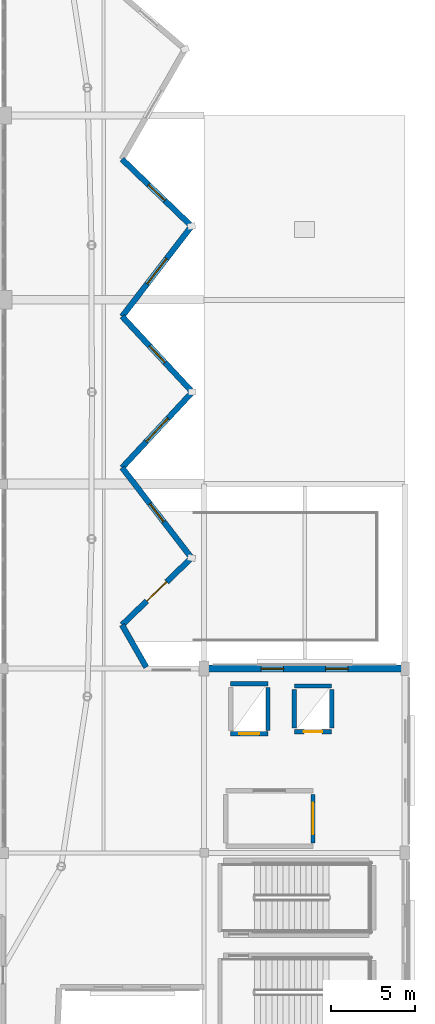
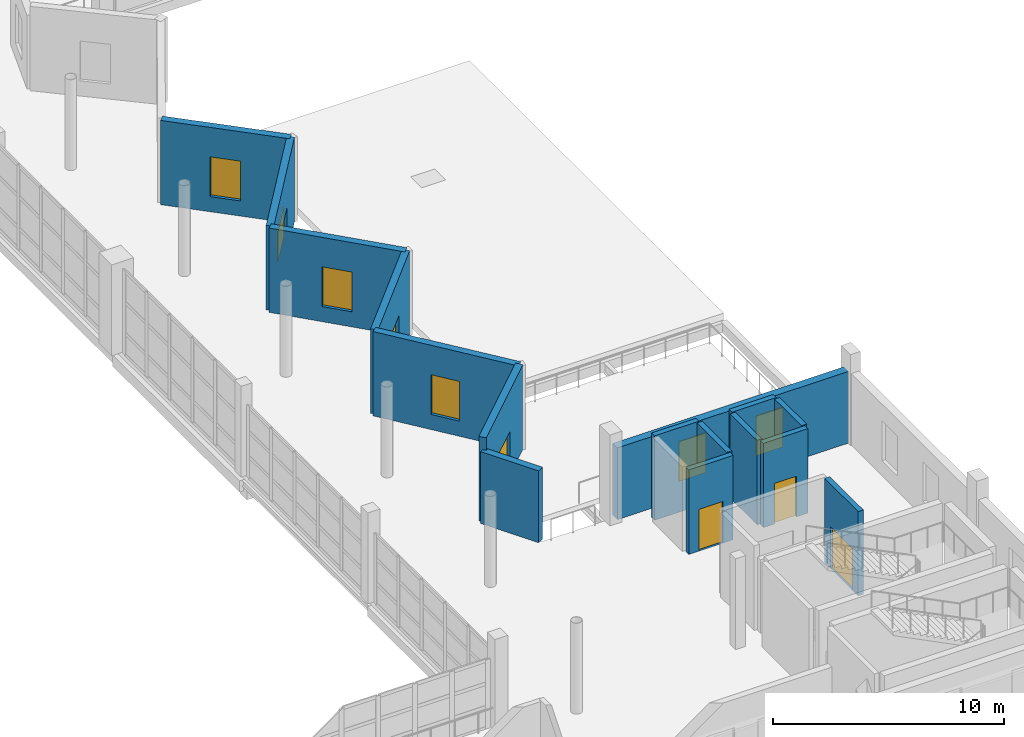
# One storey, part 39 of 53: 16 walls, 7 windows, 4 doors, 11 openings.
"""IFC4 building model written with IfcOpenShell, lengths in metres."""

import ifcopenshell
import ifcopenshell.guid

model = None  # the IFC model being written
_history = None  # IfcOwnerHistory: only IFC2X3 demands one
_inside = {}  # id of a spatial element -> (the spatial element, [elements in it])
_under = {}  # id of a project, library or spatial element -> (it, [spatial elements below it])
_declared = {}  # id of a project -> (the project, [libraries it declares])
_typed = {}  # id of a type object -> (the type object, [elements of that type])
_made_of = {}  # id of a material, layer set ... -> (it, [elements and type objects made of it])


def new_model(schema):
    """Start an empty IFC model of exactly this schema.

    Asked for "IFC4X3", IfcOpenShell would pick the latest addendum, in which some entities
    have other attributes; the version numbers below select the first issue.
    IFC2X3 requires an IfcOwnerHistory on every rooted entity: one is made here for all.
    """
    global model, _history
    if schema == "IFC4X3":
        model = ifcopenshell.file(schema_version=(4, 3, 0, 0))
    else:
        model = ifcopenshell.file(schema=schema)
    _inside.clear()
    _under.clear()
    _declared.clear()
    _typed.clear()
    _made_of.clear()
    _history = None
    if model.schema == "IFC2X3":
        org = make("IfcOrganization", Name="unknown")
        user = make(
            "IfcPersonAndOrganization",
            ThePerson=make("IfcPerson", FamilyName="unknown"),
            TheOrganization=org,
        )
        app = make(
            "IfcApplication",
            ApplicationDeveloper=org,
            Version="unknown",
            ApplicationFullName="unknown",
            ApplicationIdentifier="unknown",
        )
        _history = make(
            "IfcOwnerHistory",
            OwningUser=user,
            OwningApplication=app,
            ChangeAction="ADDED",
            CreationDate=0,
        )
    return model


def make(cls, **values):
    """One entity of the class cls with the attributes given. An attribute that is None is left unset."""
    return model.create_entity(
        cls, **{name: value for name, value in values.items() if value is not None}
    )


def rooted(cls, **values):
    """An entity with a GlobalId (a new one), such as an element, a storey or a relation."""
    return make(cls, GlobalId=ifcopenshell.guid.new(), OwnerHistory=_history, **values)


def si_unit(unit_type, name, prefix=None):
    """IfcSIUnit, for example si_unit("LENGTHUNIT", "METRE", prefix="MILLI")."""
    return make("IfcSIUnit", UnitType=unit_type, Prefix=prefix, Name=name)


def assignment(units):
    """IfcUnitAssignment: the units of a project."""
    return None if units is None else make("IfcUnitAssignment", Units=units)


def point(xyz):
    """IfcCartesianPoint."""
    return None if xyz is None else make("IfcCartesianPoint", Coordinates=xyz)


def direction(xyz):
    """IfcDirection."""
    return None if xyz is None else make("IfcDirection", DirectionRatios=xyz)


def frame(location, z_axis=None, x_axis=None):
    """IfcAxis2Placement3D, a coordinate frame: its origin and axes. An axis left out is left unset."""
    return make(
        "IfcAxis2Placement3D",
        Location=point(location),
        Axis=direction(z_axis),
        RefDirection=direction(x_axis),
    )


def frame_2d(location, x_axis=None):
    """IfcAxis2Placement2D, a coordinate frame in the plane: its origin and x axis."""
    return make(
        "IfcAxis2Placement2D", Location=point(location), RefDirection=direction(x_axis)
    )


def origin():
    """The frame at (0, 0, 0) with its axes left unset."""
    return frame((0.0, 0.0, 0.0))


def place(relative_to, where):
    """IfcLocalPlacement: puts the frame where relative to a parent placement (None: the world)."""
    return make(
        "IfcLocalPlacement", PlacementRelTo=relative_to, RelativePlacement=where
    )


def context(
    kind, dimensions, precision=None, world=None, true_north=None, identifier=None
):
    """IfcGeometricRepresentationContext, for example the 3D "Model" context."""
    return make(
        "IfcGeometricRepresentationContext",
        ContextIdentifier=identifier,
        ContextType=kind,
        CoordinateSpaceDimension=dimensions,
        Precision=precision,
        WorldCoordinateSystem=world,
        TrueNorth=true_north,
    )


def subcontext(parent, identifier, kind, view, scale=None):
    """IfcGeometricRepresentationSubContext, for example "Body" below "Model"."""
    return make(
        "IfcGeometricRepresentationSubContext",
        ContextIdentifier=identifier,
        ContextType=kind,
        ParentContext=parent,
        TargetScale=scale,
        TargetView=view,
    )


def project(units=None, contexts=None):
    """IfcProject with its units and contexts."""
    return rooted(
        "IfcProject",
        Name="project",
        RepresentationContexts=contexts,
        UnitsInContext=assignment(units),
    )


def spatial(cls, under=None, at=None, **own):
    """A site, building, storey or space (cls), placed at a placement, below another one or the project."""
    s = rooted(cls, ObjectPlacement=at, **own)
    if under is not None:
        _under.setdefault(under.id(), (under, []))[1].append(s)
    return s


def profile(cls, at=None, kind="AREA", **sizes):
    """A parametric profile (cls). Its sizes go by their IFC names, for example OverallWidth=200.0."""
    return make(cls, ProfileType=kind, Position=at, **sizes)


def rectangle(**sizes):
    """IfcRectangleProfileDef."""
    return profile("IfcRectangleProfileDef", **sizes)


def extrude(swept, where, along, depth):
    """IfcExtrudedAreaSolid: the profile swept, set in the frame where, extruded along a direction by depth."""
    return make(
        "IfcExtrudedAreaSolid",
        SweptArea=swept,
        Position=where,
        ExtrudedDirection=direction(along),
        Depth=depth,
    )


def shape(context_of_items, identifier, shape_type, items):
    """IfcShapeRepresentation: the items that make up one representation, for example the "Body"."""
    return make(
        "IfcShapeRepresentation",
        ContextOfItems=context_of_items,
        RepresentationIdentifier=identifier,
        RepresentationType=shape_type,
        Items=items,
    )


def material(Name=None, Category=None):
    """IfcMaterial."""
    return make("IfcMaterial", Name=Name, Category=Category)


def layer(
    of_material, thickness, ventilated=None, Name=None, Category=None, Priority=None
):
    """IfcMaterialLayer: one layer of a wall or slab, of a material (None: an air gap)."""
    return make(
        "IfcMaterialLayer",
        Material=of_material,
        LayerThickness=thickness,
        IsVentilated=ventilated,
        Name=Name,
        Category=Category,
        Priority=Priority,
    )


def layer_set(layers, Name=None):
    """IfcMaterialLayerSet."""
    return make("IfcMaterialLayerSet", MaterialLayers=layers, LayerSetName=Name)


def made_of(thing, what):
    """Note that an element or type object is made of a material, layer set ...; save() writes the relation."""
    if what is not None:
        _made_of.setdefault(what.id(), (what, []))[1].append(thing)
    return thing


def type_object(cls, material=None, **own):
    """A type object (cls), such as IfcWallType, which elements share."""
    return made_of(rooted(cls, **own), material)


def element(
    cls,
    number,
    at=None,
    inside=None,
    cuts=None,
    type_object=None,
    material=None,
    context=None,
    identifier="Body",
    shape_type=None,
    held_by="IfcProductDefinitionShape",
    body=None,
    shapes=None,
    **own,
):
    """One element of the class cls, such as IfcWall. Its Tag is "e" and its number.

    at: its placement. inside: the storey or other place that contains it. cuts: it is an
    opening in that element (IfcRelVoidsElement). A single representation is given by context,
    identifier, shape_type and body (its items); several are given by shapes. held_by: the class
    of the entity that holds the representations. save() writes the other relations.
    """
    e = rooted(cls, Tag="e%d" % number, ObjectPlacement=at, **own)
    if body is not None:
        shapes = [shape(context, identifier, shape_type, body)]
    if shapes is not None:
        e.Representation = make(held_by, Representations=shapes)
    if inside is not None:
        _inside.setdefault(inside.id(), (inside, []))[1].append(e)
    if cuts is not None:
        rooted(
            "IfcRelVoidsElement", RelatingBuildingElement=cuts, RelatedOpeningElement=e
        )
    if type_object is not None:
        _typed.setdefault(type_object.id(), (type_object, []))[1].append(e)
    return made_of(e, material)


def fill(opening, filler):
    """IfcRelFillsElement: the door or window that sits in an opening."""
    return rooted(
        "IfcRelFillsElement",
        RelatingOpeningElement=opening,
        RelatedBuildingElement=filler,
    )


def aggregate(whole, parts):
    """IfcRelAggregates: a whole, such as a stair, and the parts it consists of."""
    return rooted("IfcRelAggregates", RelatingObject=whole, RelatedObjects=parts)


def save(model, path):
    """Write the relations noted so far, then the file.

    IfcRelAggregates (storeys below a building ...), IfcRelContainedInSpatialStructure (elements
    in a storey), IfcRelDefinesByType, IfcRelAssociatesMaterial and IfcRelDeclares: one each for
    every whole, place, type object, material and project.
    """
    for whole, parts in _under.values():
        aggregate(whole, parts)
    for where, things in _inside.values():
        rooted(
            "IfcRelContainedInSpatialStructure",
            RelatedElements=things,
            RelatingStructure=where,
        )
    for kind, things in _typed.values():
        rooted("IfcRelDefinesByType", RelatedObjects=things, RelatingType=kind)
    for what, things in _made_of.values():
        rooted("IfcRelAssociatesMaterial", RelatedObjects=things, RelatingMaterial=what)
    for by, libraries in _declared.values():
        rooted("IfcRelDeclares", RelatingContext=by, RelatedDefinitions=libraries)
    model.write(path)


model = new_model("IFC4")

# Units and contexts
model_context = context("Model", 3, precision=1e-05, world=origin(), true_north=direction((0.0, 1.0)))
body_context = subcontext(model_context, "Body", "Model", "MODEL_VIEW")
ifc_project = project(units=[si_unit("LENGTHUNIT", "METRE"), si_unit("AREAUNIT", "SQUARE_METRE"), si_unit("VOLUMEUNIT", "CUBIC_METRE"), si_unit("PLANEANGLEUNIT", "RADIAN"), si_unit("MASSUNIT", "GRAM", prefix="KILO")], contexts=[model_context])

# Site, building, storey
site_placement = place(None, origin())
site = spatial("IfcSite", under=ifc_project, at=site_placement, CompositionType="ELEMENT")
building_placement = place(site_placement, origin())
building = spatial("IfcBuilding", under=site, at=building_placement, Name="Luwafu Chhajja Arena", CompositionType="ELEMENT")
storey_placement = place(building_placement, frame((0.0, 0.0, 19.5)))
storey = spatial("IfcBuildingStorey", under=building, at=storey_placement, Name="L04", CompositionType="ELEMENT", Elevation=19.5)

# Wall, opening, door
ifc_material_1 = material(Name="Concrete C40/50", Category="concrete")
ifc_layer_1 = layer(ifc_material_1, 0.260009765625, Name="Concrete C40/50")
ifc_layer_set_1 = layer_set([ifc_layer_1], Name="Concrete C40/50")
wall_type_1 = type_object("IfcWallType", Name="Firefighting Lobby Wall 260", PredefinedType="SOLIDWALL", material=ifc_layer_set_1)
wall_1_placement = place(storey_placement, frame((158.5, 22.60009765625, 0.0), z_axis=(0.0, 0.0, 1.0), x_axis=(0.0, 1.0, 0.0)))
wall_1 = element("IfcWall", 1, at=wall_1_placement, inside=storey, type_object=wall_type_1, Name="L04 Core C2 Firefighting Lobby Wall E", PredefinedType="SOLIDWALL", context=body_context, shape_type="SweptSolid", body=[
    extrude(rectangle(XDim=2.89990234375, YDim=0.260009765625, at=frame_2d((1.449951171875, 0.0))), origin(), (0.0, 0.0, 1.0), 4.4599609375),
])
opening_1_placement = place(wall_1_placement, frame((0.5, 0.0, 0.0)))
opening_1 = element("IfcOpeningElement", 2, at=opening_1_placement, cuts=wall_1, Name="Opening DR-07", PredefinedType="OPENING", context=body_context, shape_type="SweptSolid", body=[
    extrude(rectangle(XDim=1.89990234375, YDim=2.199951171875, at=frame_2d((0.949951171875, 1.10009765625))), frame((0.0, 0.139892578125, 0.0), z_axis=(0.0, -1.0, 0.0), x_axis=(1.0, 0.0, 0.0)), (0.0, 0.0, 1.0), 0.280029296875),
])
ifc_material_2 = material(Name="Fire-rated hardwood and vision panel", Category="wood")
door_type_1 = type_object("IfcDoorType", Name="DR-07", OperationType="DOUBLE_DOOR_SINGLE_SWING", PredefinedType="DOOR", material=ifc_material_2)
door_1_placement = place(opening_1_placement, origin())
door_1 = element("IfcDoor", 3, at=door_1_placement, inside=storey, type_object=door_type_1, Name="L04 Firefighting Lobby C2 Door L04-D008", OperationType="DOUBLE_DOOR_SINGLE_SWING", OverallHeight=2.199951171875, OverallWidth=1.89990234375, PredefinedType="DOOR", context=body_context, shape_type="SweptSolid", body=[
    extrude(rectangle(XDim=1.89990234375, YDim=2.199951171875, at=frame_2d((0.949951171875, 1.10009765625))), frame((0.0, 0.02490234375, 0.0), z_axis=(0.0, -1.0, 0.0), x_axis=(1.0, 0.0, 0.0)), (0.0, 0.0, 1.0), 0.050048828125),
])
fill(opening_1, door_1)

ifc_material_3 = material(Name="Concrete C35/45", Category="concrete")
ifc_layer_2 = layer(ifc_material_3, 0.260009765625, Name="Concrete C35/45")
ifc_layer_set_2 = layer_set([ifc_layer_2], Name="Concrete C35/45")
wall_type_2 = type_object("IfcWallType", Name="Lift and Riser Shaft Wall 260", PredefinedType="SOLIDWALL", material=ifc_layer_set_2)
wall_2_placement = place(storey_placement, frame((153.590087890625, 29.114990234375, 0.0), z_axis=(0.0, 0.0, 1.0), x_axis=(1.0, 0.0, 0.0)))
wall_2 = element("IfcWall", 4, at=wall_2_placement, inside=storey, type_object=wall_type_2, Name="L04 Lift LF-02 Shaft Wall S", PredefinedType="SOLIDWALL", context=body_context, shape_type="SweptSolid", body=[
    extrude(rectangle(XDim=2.219970703125, YDim=0.260009765625, at=frame_2d((1.10986328125, 0.0))), origin(), (0.0, 0.0, 1.0), 4.4599609375),
])
opening_2_placement = place(wall_2_placement, frame((0.510009765625, 0.0, 0.0)))
opening_2 = element("IfcOpeningElement", 5, at=opening_2_placement, cuts=wall_2, Name="Opening LD-02", PredefinedType="OPENING", context=body_context, shape_type="SweptSolid", body=[
    extrude(rectangle(XDim=1.199951171875, YDim=2.199951171875, at=frame_2d((0.60009765625, 1.10009765625))), frame((0.0, 0.139892578125, 0.0), z_axis=(0.0, -1.0, 0.0), x_axis=(1.0, 0.0, 0.0)), (0.0, 0.0, 1.0), 0.280029296875),
])
ifc_material_4 = material(Name="Brushed stainless steel sliding leaves", Category="steel")
door_type_2 = type_object("IfcDoorType", Name="LD-02", OperationType="SLIDING_TO_LEFT", PredefinedType="DOOR", material=ifc_material_4)
door_2_placement = place(opening_2_placement, origin())
door_2 = element("IfcDoor", 6, at=door_2_placement, inside=storey, type_object=door_type_2, Name="L04 Lift LF-02 Landing Door L04-LD03", OperationType="SLIDING_TO_LEFT", OverallHeight=2.199951171875, OverallWidth=1.199951171875, PredefinedType="DOOR", context=body_context, shape_type="SweptSolid", body=[
    extrude(rectangle(XDim=1.199951171875, YDim=2.199951171875, at=frame_2d((0.60009765625, 1.10009765625))), frame((0.0, 0.02490234375, 0.0), z_axis=(0.0, -1.0, 0.0), x_axis=(1.0, 0.0, 0.0)), (0.0, 0.0, 1.0), 0.050048828125),
])
fill(opening_2, door_2)

# Walls
wall_3_placement = place(storey_placement, frame((153.590087890625, 32.0849609375, 0.0), z_axis=(0.0, 0.0, 1.0), x_axis=(1.0, 0.0, 0.0)))
element("IfcWall", 7, at=wall_3_placement, inside=storey, type_object=wall_type_2, Name="L04 Lift LF-02 Shaft Wall N", PredefinedType="SOLIDWALL", context=body_context, shape_type="SweptSolid", body=[
    extrude(rectangle(XDim=2.219970703125, YDim=0.260009765625, at=frame_2d((1.10986328125, 0.0))), origin(), (0.0, 0.0, 1.0), 4.4599609375),
])
wall_4_placement = place(storey_placement, frame((155.81005859375, 29.31494140625, 0.0), z_axis=(0.0, 0.0, 1.0), x_axis=(0.0, 1.0, 0.0)))
element("IfcWall", 8, at=wall_4_placement, inside=storey, type_object=wall_type_2, Name="L04 Lift LF-02 Shaft Wall E", PredefinedType="SOLIDWALL", context=body_context, shape_type="SweptSolid", body=[
    extrude(rectangle(XDim=2.570068359375, YDim=0.260009765625, at=frame_2d((1.28515625, 0.0))), origin(), (0.0, 0.0, 1.0), 4.4599609375),
])

# Wall, opening, door
wall_5_placement = place(storey_placement, frame((157.389892578125, 29.239990234375, 0.0), z_axis=(0.0, 0.0, 1.0), x_axis=(1.0, 0.0, 0.0)))
wall_5 = element("IfcWall", 9, at=wall_5_placement, inside=storey, type_object=wall_type_2, Name="L04 Lift LF-06 Shaft Wall S", PredefinedType="SOLIDWALL", context=body_context, shape_type="SweptSolid", body=[
    extrude(rectangle(XDim=2.22021484375, YDim=0.260009765625, at=frame_2d((1.110107421875, 0.0))), origin(), (0.0, 0.0, 1.0), 4.4599609375),
])
opening_3_placement = place(wall_5_placement, frame((0.56005859375, 0.0, 0.0)))
opening_3 = element("IfcOpeningElement", 10, at=opening_3_placement, cuts=wall_5, Name="Opening LD-01", PredefinedType="OPENING", context=body_context, shape_type="SweptSolid", body=[
    extrude(rectangle(XDim=1.10009765625, YDim=2.14990234375, at=frame_2d((0.550048828125, 1.074951171875))), frame((0.0, 0.139892578125, 0.0), z_axis=(0.0, -1.0, 0.0), x_axis=(1.0, 0.0, 0.0)), (0.0, 0.0, 1.0), 0.280029296875),
])
door_type_3 = type_object("IfcDoorType", Name="LD-01", OperationType="SLIDING_TO_LEFT", PredefinedType="DOOR", material=ifc_material_4)
door_3_placement = place(opening_3_placement, origin())
door_3 = element("IfcDoor", 11, at=door_3_placement, inside=storey, type_object=door_type_3, Name="L04 Lift LF-06 Landing Door L04-LD04", OperationType="SLIDING_TO_LEFT", OverallHeight=2.14990234375, OverallWidth=1.10009765625, PredefinedType="DOOR", context=body_context, shape_type="SweptSolid", body=[
    extrude(rectangle(XDim=1.10009765625, YDim=2.14990234375, at=frame_2d((0.550048828125, 1.074951171875))), frame((0.0, 0.02490234375, 0.0), z_axis=(0.0, -1.0, 0.0), x_axis=(1.0, 0.0, 0.0)), (0.0, 0.0, 1.0), 0.050048828125),
])
fill(opening_3, door_3)

# Walls
wall_6_placement = place(storey_placement, frame((157.389892578125, 31.9599609375, 0.0), z_axis=(0.0, 0.0, 1.0), x_axis=(1.0, 0.0, 0.0)))
element("IfcWall", 12, at=wall_6_placement, inside=storey, type_object=wall_type_2, Name="L04 Lift LF-06 Shaft Wall N", PredefinedType="SOLIDWALL", context=body_context, shape_type="SweptSolid", body=[
    extrude(rectangle(XDim=2.22021484375, YDim=0.260009765625, at=frame_2d((1.110107421875, 0.0))), origin(), (0.0, 0.0, 1.0), 4.4599609375),
])
for number, where, z_axis, x_axis, name in (
    (13, (157.389892578125, 29.43994140625, 0.0), (0.0, 0.0, 1.0), (0.0, 1.0, 0.0), "L04 Lift LF-06 Shaft Wall W"),
    (14, (159.610107421875, 29.43994140625, 0.0), (0.0, 0.0, 1.0), (0.0, 1.0, 0.0), "L04 Lift LF-06 Shaft Wall E"),
):
    element("IfcWall", number, at=place(storey_placement, frame(where, z_axis=z_axis, x_axis=x_axis)), inside=storey, type_object=wall_type_2, Name=name, PredefinedType="SOLIDWALL", context=body_context, shape_type="SweptSolid", body=[
        extrude(rectangle(XDim=2.320068359375, YDim=0.260009765625, at=frame_2d((1.16015625, 0.0))), origin(), (0.0, 0.0, 1.0), 4.4599609375),
    ])

# Wall, opening, window
ifc_material_5 = material(Name="Precast concrete C40/50", Category="concrete")
ifc_layer_3 = layer(ifc_material_5, 0.340087890625, Name="Precast concrete C40/50")
ifc_layer_set_3 = layer_set([ifc_layer_3], Name="Precast concrete C40/50")
wall_type_3 = type_object("IfcWallType", Name="Pleated Bowl V-Fold Wall 340", PredefinedType="USERDEFINED", material=ifc_layer_set_3)
wall_7_placement = place(storey_placement, frame((151.300048828125, 49.5, 0.0), z_axis=(0.0, 0.0, 1.0), x_axis=(-0.68064266922, 0.732615558692, 0.0)))
wall_7 = element("IfcWall", 15, at=wall_7_placement, inside=storey, type_object=wall_type_3, Name="L04 Pleated Bowl V-Fold Wall 01", ObjectType="PLEATED FACADE WALL", PredefinedType="USERDEFINED", context=body_context, shape_type="SweptSolid", body=[
    extrude(rectangle(XDim=6.158447265625, YDim=0.340087890625, at=frame_2d((3.0791015625, 0.0))), origin(), (0.0, 0.0, 1.0), 4.455078125),
])
opening_4_placement = place(wall_7_placement, frame((2.404052734375, 0.0, 0.800048828125)))
opening_4 = element("IfcOpeningElement", 16, at=opening_4_placement, cuts=wall_7, Name="Opening WN-17", PredefinedType="OPENING", context=body_context, shape_type="SweptSolid", body=[
    extrude(rectangle(XDim=1.35009765625, YDim=2.10009765625, at=frame_2d((0.675048828125, 1.050048828125))), frame((0.0, 0.179931640625, 0.0), z_axis=(0.0, -1.0, 0.0), x_axis=(1.0, 0.0, 0.0)), (0.0, 0.0, 1.0), 0.360107421875),
])
ifc_material_6 = material(Name="Solar-control laminated glass", Category="glass")
window_type_1 = type_object("IfcWindowType", Name="Exhibition Mezzanine Lancet Window 1350x2100", PartitioningType="SINGLE_PANEL", PredefinedType="WINDOW", material=ifc_material_6)
window_1_placement = place(opening_4_placement, origin())
window_1 = element("IfcWindow", 17, at=window_1_placement, inside=storey, type_object=window_type_1, Name="L04 Pleated Bowl Lancet Window 078", OverallHeight=2.10009765625, OverallWidth=1.35009765625, PartitioningType="SINGLE_PANEL", PredefinedType="WINDOW", context=body_context, shape_type="SweptSolid", body=[
    extrude(rectangle(XDim=1.35009765625, YDim=2.10009765625, at=frame_2d((0.675048828125, 1.050048828125))), frame((0.0, 0.030029296875, 0.0), z_axis=(0.0, -1.0, 0.0), x_axis=(1.0, 0.0, 0.0)), (0.0, 0.0, 1.0), 0.06005859375),
])
fill(opening_4, window_1)

wall_8_placement = place(storey_placement, frame((147.1083984375, 54.01171875, 0.0), z_axis=(0.0, 0.0, 1.0), x_axis=(0.609656915655, 0.792665405575, 0.0)))
wall_8 = element("IfcWall", 18, at=wall_8_placement, inside=storey, type_object=wall_type_3, Name="L04 Pleated Bowl V-Fold Wall 02", ObjectType="PLEATED FACADE WALL", PredefinedType="USERDEFINED", context=body_context, shape_type="SweptSolid", body=[
    extrude(rectangle(XDim=6.79296875, YDim=0.340087890625, at=frame_2d((3.396484375, 0.0))), origin(), (0.0, 0.0, 1.0), 4.455078125),
])
opening_5_placement = place(wall_8_placement, frame((2.4462890625, 0.0, 0.85009765625)))
opening_5 = element("IfcOpeningElement", 19, at=opening_5_placement, cuts=wall_8, Name="Opening WN-15", PredefinedType="OPENING", context=body_context, shape_type="SweptSolid", body=[
    extrude(rectangle(XDim=1.89990234375, YDim=1.60009765625, at=frame_2d((0.949951171875, 0.800048828125))), frame((0.0, 0.179931640625, 0.0), z_axis=(0.0, -1.0, 0.0), x_axis=(1.0, 0.0, 0.0)), (0.0, 0.0, 1.0), 0.360107421875),
])
window_type_2 = type_object("IfcWindowType", Name="Pleated Drum Inward-Fold Clerestory 1900x1600", PartitioningType="SINGLE_PANEL", PredefinedType="WINDOW", material=ifc_material_6)
window_2_placement = place(opening_5_placement, origin())
window_2 = element("IfcWindow", 20, at=window_2_placement, inside=storey, type_object=window_type_2, Name="L04 Pleated Bowl Lancet Window 079", OverallHeight=1.60009765625, OverallWidth=1.89990234375, PartitioningType="SINGLE_PANEL", PredefinedType="WINDOW", context=body_context, shape_type="SweptSolid", body=[
    extrude(rectangle(XDim=1.89990234375, YDim=1.60009765625, at=frame_2d((0.949951171875, 0.800048828125))), frame((0.0, 0.030029296875, 0.0), z_axis=(0.0, -1.0, 0.0), x_axis=(1.0, 0.0, 0.0)), (0.0, 0.0, 1.0), 0.06005859375),
])
fill(opening_5, window_2)

wall_9_placement = place(storey_placement, frame((151.249755859375, 59.396240234375, 0.0), z_axis=(0.0, 0.0, 1.0), x_axis=(-0.719894969607, 0.694083015737, 0.0)))
wall_9 = element("IfcWall", 21, at=wall_9_placement, inside=storey, type_object=wall_type_3, Name="L04 Pleated Bowl V-Fold Wall 03", ObjectType="PLEATED FACADE WALL", PredefinedType="USERDEFINED", context=body_context, shape_type="SweptSolid", body=[
    extrude(rectangle(XDim=5.76025390625, YDim=0.340087890625, at=frame_2d((2.880126953125, 0.0))), origin(), (0.0, 0.0, 1.0), 4.455078125),
])
opening_6_placement = place(wall_9_placement, frame((2.205078125, 0.0, 0.800048828125)))
opening_6 = element("IfcOpeningElement", 22, at=opening_6_placement, cuts=wall_9, Name="Opening WN-17", PredefinedType="OPENING", context=body_context, shape_type="SweptSolid", body=[
    extrude(rectangle(XDim=1.35009765625, YDim=2.10009765625, at=frame_2d((0.675048828125, 1.050048828125))), frame((0.0, 0.179931640625, 0.0), z_axis=(0.0, -1.0, 0.0), x_axis=(1.0, 0.0, 0.0)), (0.0, 0.0, 1.0), 0.360107421875),
])
window_3_placement = place(opening_6_placement, origin())
window_3 = element("IfcWindow", 23, at=window_3_placement, inside=storey, type_object=window_type_1, Name="L04 Pleated Bowl Lancet Window 080", OverallHeight=2.10009765625, OverallWidth=1.35009765625, PartitioningType="SINGLE_PANEL", PredefinedType="WINDOW", context=body_context, shape_type="SweptSolid", body=[
    extrude(rectangle(XDim=1.35009765625, YDim=2.10009765625, at=frame_2d((0.675048828125, 1.050048828125))), frame((0.0, 0.030029296875, 0.0), z_axis=(0.0, -1.0, 0.0), x_axis=(1.0, 0.0, 0.0)), (0.0, 0.0, 1.0), 0.06005859375),
])
fill(opening_6, window_3)

# Wall
wall_10_placement = place(storey_placement, frame((148.550537109375, 33.080078125, 0.0), z_axis=(0.0, 0.0, 1.0), x_axis=(-0.497249451908, 0.86760762017, 0.0)))
element("IfcWall", 24, at=wall_10_placement, inside=storey, type_object=wall_type_3, Name="L04 Pleated Bowl V-Fold Wall 61", ObjectType="PLEATED FACADE WALL", PredefinedType="USERDEFINED", context=body_context, shape_type="SweptSolid", body=[
    extrude(rectangle(XDim=2.9111328125, YDim=0.340087890625, at=frame_2d((1.45556640625, 0.0))), origin(), (0.0, 0.0, 1.0), 3.7900390625),
])

# Wall, opening, door
wall_11_placement = place(storey_placement, frame((147.10302734375, 35.605712890625, 0.0), z_axis=(0.0, 0.0, 1.0), x_axis=(0.719894969607, 0.694083015737, 0.0)))
wall_11 = element("IfcWall", 25, at=wall_11_placement, inside=storey, type_object=wall_type_3, Name="L04 Pleated Bowl V-Fold Wall 62", ObjectType="PLEATED FACADE WALL", PredefinedType="USERDEFINED", context=body_context, shape_type="SweptSolid", body=[
    extrude(rectangle(XDim=5.76025390625, YDim=0.340087890625, at=frame_2d((2.880126953125, 0.0))), origin(), (0.0, 0.0, 1.0), 4.455078125),
])
opening_7_placement = place(wall_11_placement, frame((2.05517578125, 0.0, 0.0)))
opening_7 = element("IfcOpeningElement", 26, at=opening_7_placement, cuts=wall_11, Name="Opening DR-29", PredefinedType="OPENING", context=body_context, shape_type="SweptSolid", body=[
    extrude(rectangle(XDim=1.64990234375, YDim=2.300048828125, at=frame_2d((0.824951171875, 1.14990234375))), frame((0.0, 0.179931640625, 0.0), z_axis=(0.0, -1.0, 0.0), x_axis=(1.0, 0.0, 0.0)), (0.0, 0.0, 1.0), 0.360107421875),
])
ifc_material_7 = material(Name="Anodised bronze thermally broken double glazed door")
door_type_4 = type_object("IfcDoorType", Name="DR-29", OperationType="DOUBLE_DOOR_SINGLE_SWING", PredefinedType="DOOR", material=ifc_material_7)
door_4_placement = place(opening_7_placement, frame((1.64990234375, 0.0, 0.0), z_axis=(0.0, 0.0, 1.0), x_axis=(-1.0, 0.0, 0.0)))
door_4 = element("IfcDoor", 27, at=door_4_placement, inside=storey, type_object=door_type_4, Name="L04 Viewing Terrace Access Door L04-TD01", OperationType="DOUBLE_DOOR_SINGLE_SWING", OverallHeight=2.300048828125, OverallWidth=1.64990234375, PredefinedType="DOOR", context=body_context, shape_type="SweptSolid", body=[
    extrude(rectangle(XDim=1.64990234375, YDim=2.300048828125, at=frame_2d((0.824951171875, 1.14990234375))), frame((0.0, 0.02490234375, 0.0), z_axis=(0.0, -1.0, 0.0), x_axis=(1.0, 0.0, 0.0)), (0.0, 0.0, 1.0), 0.050048828125),
])
fill(opening_7, door_4)

# Wall, opening, window
wall_12_placement = place(storey_placement, frame((151.249755859375, 39.603759765625, 0.0), z_axis=(0.0, 0.0, 1.0), x_axis=(-0.609656915655, 0.792665405575, 0.0)))
wall_12 = element("IfcWall", 28, at=wall_12_placement, inside=storey, type_object=wall_type_3, Name="L04 Pleated Bowl V-Fold Wall 63", ObjectType="PLEATED FACADE WALL", PredefinedType="USERDEFINED", context=body_context, shape_type="SweptSolid", body=[
    extrude(rectangle(XDim=6.79296875, YDim=0.340087890625, at=frame_2d((3.396484375, 0.0))), origin(), (0.0, 0.0, 1.0), 4.455078125),
])
opening_8_placement = place(wall_12_placement, frame((2.721435546875, 0.0, 0.800048828125)))
opening_8 = element("IfcOpeningElement", 29, at=opening_8_placement, cuts=wall_12, Name="Opening WN-17", PredefinedType="OPENING", context=body_context, shape_type="SweptSolid", body=[
    extrude(rectangle(XDim=1.35009765625, YDim=2.10009765625, at=frame_2d((0.675048828125, 1.050048828125))), frame((0.0, 0.179931640625, 0.0), z_axis=(0.0, -1.0, 0.0), x_axis=(1.0, 0.0, 0.0)), (0.0, 0.0, 1.0), 0.360107421875),
])
window_4_placement = place(opening_8_placement, origin())
window_4 = element("IfcWindow", 30, at=window_4_placement, inside=storey, type_object=window_type_1, Name="L04 Pleated Bowl Lancet Window 127", OverallHeight=2.10009765625, OverallWidth=1.35009765625, PartitioningType="SINGLE_PANEL", PredefinedType="WINDOW", context=body_context, shape_type="SweptSolid", body=[
    extrude(rectangle(XDim=1.35009765625, YDim=2.10009765625, at=frame_2d((0.675048828125, 1.050048828125))), frame((0.0, 0.030029296875, 0.0), z_axis=(0.0, -1.0, 0.0), x_axis=(1.0, 0.0, 0.0)), (0.0, 0.0, 1.0), 0.06005859375),
])
fill(opening_8, window_4)

wall_13_placement = place(storey_placement, frame((147.1083984375, 44.98828125, 0.0), z_axis=(0.0, 0.0, 1.0), x_axis=(0.68064266922, 0.732615558692, 0.0)))
wall_13 = element("IfcWall", 31, at=wall_13_placement, inside=storey, type_object=wall_type_3, Name="L04 Pleated Bowl V-Fold Wall 64", ObjectType="PLEATED FACADE WALL", PredefinedType="USERDEFINED", context=body_context, shape_type="SweptSolid", body=[
    extrude(rectangle(XDim=6.158447265625, YDim=0.340087890625, at=frame_2d((3.0791015625, 0.0))), origin(), (0.0, 0.0, 1.0), 4.455078125),
])
opening_9_placement = place(wall_13_placement, frame((2.129150390625, 0.0, 0.85009765625)))
opening_9 = element("IfcOpeningElement", 32, at=opening_9_placement, cuts=wall_13, Name="Opening WN-15", PredefinedType="OPENING", context=body_context, shape_type="SweptSolid", body=[
    extrude(rectangle(XDim=1.89990234375, YDim=1.60009765625, at=frame_2d((0.949951171875, 0.800048828125))), frame((0.0, 0.179931640625, 0.0), z_axis=(0.0, -1.0, 0.0), x_axis=(1.0, 0.0, 0.0)), (0.0, 0.0, 1.0), 0.360107421875),
])
window_5_placement = place(opening_9_placement, origin())
window_5 = element("IfcWindow", 33, at=window_5_placement, inside=storey, type_object=window_type_2, Name="L04 Pleated Bowl Lancet Window 128", OverallHeight=1.60009765625, OverallWidth=1.89990234375, PartitioningType="SINGLE_PANEL", PredefinedType="WINDOW", context=body_context, shape_type="SweptSolid", body=[
    extrude(rectangle(XDim=1.89990234375, YDim=1.60009765625, at=frame_2d((0.949951171875, 0.800048828125))), frame((0.0, 0.030029296875, 0.0), z_axis=(0.0, -1.0, 0.0), x_axis=(1.0, 0.0, 0.0)), (0.0, 0.0, 1.0), 0.06005859375),
])
fill(opening_9, window_5)

# Wall, openings, windows
ifc_layer_4 = layer(ifc_material_1, 0.39990234375, Name="Concrete C40/50")
ifc_layer_set_4 = layer_set([ifc_layer_4], Name="Concrete C40/50")
wall_type_4 = type_object("IfcWallType", Name="RC Core Shear Wall 400", PredefinedType="SOLIDWALL", material=ifc_layer_set_4)
wall_14_placement = place(storey_placement, frame((152.219970703125, 33.0, 0.0), z_axis=(0.0, 0.0, 1.0), x_axis=(1.0, 0.0, 0.0)))
wall_14 = element("IfcWall", 34, at=wall_14_placement, inside=storey, type_object=wall_type_4, Name="L04 Exterior Wall WEX-L04-226", PredefinedType="SOLIDWALL", context=body_context, shape_type="SweptSolid", body=[
    extrude(rectangle(XDim=11.56005859375, YDim=0.39990234375, at=frame_2d((5.780029296875, 0.0))), origin(), (0.0, 0.0, 1.0), 3.7900390625),
])
opening_10_placement = place(wall_14_placement, frame((3.17822265625, 0.0, 0.800048828125)))
opening_10 = element("IfcOpeningElement", 35, at=opening_10_placement, cuts=wall_14, Name="Opening WN-17", PredefinedType="OPENING", context=body_context, shape_type="SweptSolid", body=[
    extrude(rectangle(XDim=1.35009765625, YDim=2.10009765625, at=frame_2d((0.675048828125, 1.050048828125))), frame((0.0, 0.2099609375, 0.0), z_axis=(0.0, -1.0, 0.0), x_axis=(1.0, 0.0, 0.0)), (0.0, 0.0, 1.0), 0.419921875),
])
opening_11_placement = place(wall_14_placement, frame((7.03173828125, 0.0, 0.800048828125)))
opening_11 = element("IfcOpeningElement", 36, at=opening_11_placement, cuts=wall_14, Name="Opening WN-17", PredefinedType="OPENING", context=body_context, shape_type="SweptSolid", body=[
    extrude(rectangle(XDim=1.35009765625, YDim=2.10009765625, at=frame_2d((0.675048828125, 1.050048828125))), frame((0.0, 0.2099609375, 0.0), z_axis=(0.0, -1.0, 0.0), x_axis=(1.0, 0.0, 0.0)), (0.0, 0.0, 1.0), 0.419921875),
])
window_6_placement = place(opening_10_placement, origin())
window_6 = element("IfcWindow", 37, at=window_6_placement, inside=storey, type_object=window_type_1, Name="L04 Facade Window 198", OverallHeight=2.10009765625, OverallWidth=1.35009765625, PartitioningType="SINGLE_PANEL", PredefinedType="WINDOW", context=body_context, shape_type="SweptSolid", body=[
    extrude(rectangle(XDim=1.35009765625, YDim=2.10009765625, at=frame_2d((0.675048828125, 1.050048828125))), frame((0.0, 0.030029296875, 0.0), z_axis=(0.0, -1.0, 0.0), x_axis=(1.0, 0.0, 0.0)), (0.0, 0.0, 1.0), 0.06005859375),
])
fill(opening_10, window_6)
window_7_placement = place(opening_11_placement, origin())
window_7 = element("IfcWindow", 38, at=window_7_placement, inside=storey, type_object=window_type_1, Name="L04 Facade Window 199", OverallHeight=2.10009765625, OverallWidth=1.35009765625, PartitioningType="SINGLE_PANEL", PredefinedType="WINDOW", context=body_context, shape_type="SweptSolid", body=[
    extrude(rectangle(XDim=1.35009765625, YDim=2.10009765625, at=frame_2d((0.675048828125, 1.050048828125))), frame((0.0, 0.030029296875, 0.0), z_axis=(0.0, -1.0, 0.0), x_axis=(1.0, 0.0, 0.0)), (0.0, 0.0, 1.0), 0.06005859375),
])
fill(opening_11, window_7)

save(model, "model.ifc")
